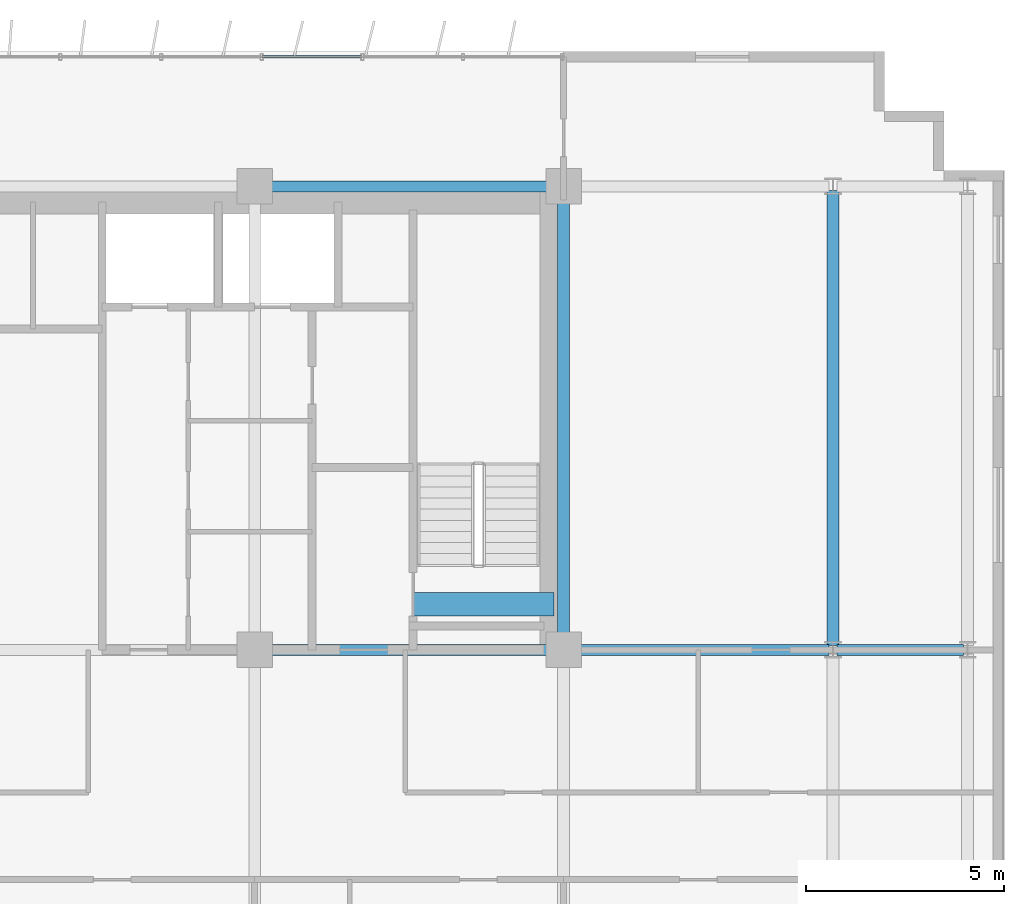
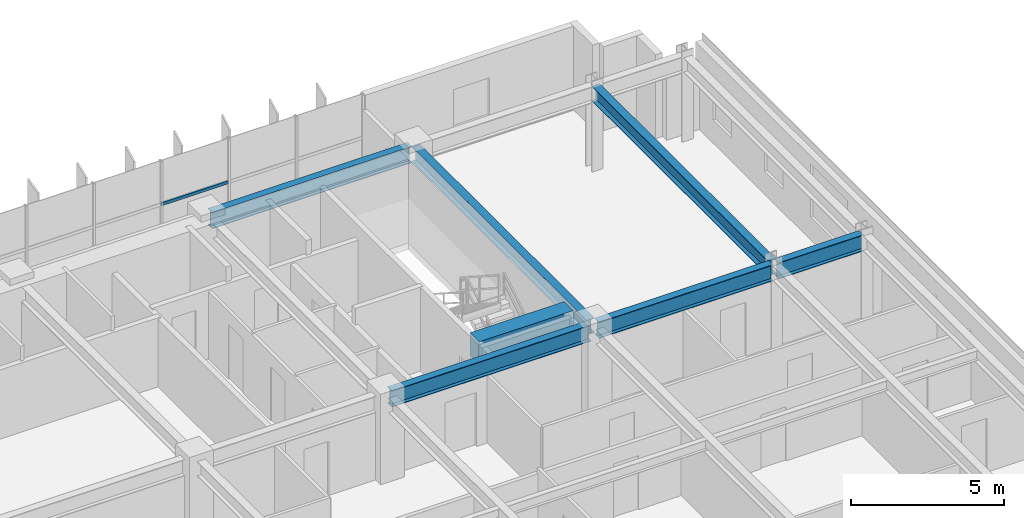
# One storey, part 11 of 22: 7 beams, 1 member, 1 element without a shape of its own.
"""IFC4 building model written with IfcOpenShell, lengths in metres."""

from ifc_helpers import new_model, si_unit, direction, frame, origin, origin_2d, place, context, subcontext, project, spatial, rectangle, hollow_rectangle, i_section, extrude, source, transform, mapped, material, material_profile, profile_set, type_object, element, aggregate, save


model = new_model("IFC4")

# Units and contexts
model_context = context("Model", 3, precision=1e-05, world=origin(), true_north=direction((0.0, 1.0)))
body_context = subcontext(model_context, "Body", "Model", "MODEL_VIEW")
ifc_project = project(units=[si_unit("LENGTHUNIT", "METRE"), si_unit("AREAUNIT", "SQUARE_METRE"), si_unit("VOLUMEUNIT", "CUBIC_METRE"), si_unit("PLANEANGLEUNIT", "RADIAN"), si_unit("MASSUNIT", "GRAM", prefix="KILO")], contexts=[model_context])

# Site, building, storey
site_placement = place(None, origin())
site = spatial("IfcSite", under=ifc_project, at=site_placement, CompositionType="ELEMENT")
building_placement = place(site_placement, origin())
building = spatial("IfcBuilding", under=site, at=building_placement, Name="Trelvane Seafront Commons", CompositionType="ELEMENT")
storey_placement = place(building_placement, frame((0.0, 0.0, 59.5)))
storey = spatial("IfcBuildingStorey", under=building, at=storey_placement, Name="L15", CompositionType="ELEMENT", Elevation=59.5)

# Beams
ifc_material_1 = material(Name="Concrete C60/75", Category="concrete")
ifc_material_profile_1 = material_profile(ifc_material_1, rectangle(XDim=0.60009765625, YDim=0.89990234375, at=origin_2d()), Name="RC-600x900")
ifc_profile_set_1 = profile_set([ifc_material_profile_1], Name="Concrete C60/75")
beam_type_1 = type_object("IfcBeamType", Name="STR-LNT-RC600x900", PredefinedType="LINTEL", material=ifc_profile_set_1)
shared_shape_1 = source(origin(), body_context, "Body", "SweptSolid", [
    extrude(rectangle(XDim=0.60009765625, YDim=0.89990234375, at=origin_2d()), origin(), (0.0, 0.0, 1.0), 3.550048828125),
])
beam_1_placement = place(storey_placement, frame((55.0, 34.550048828125, 2.889892578125), z_axis=(1.0, 0.0, 0.0), x_axis=(0.0, 1.0, 0.0)))
element("IfcBeam", 1, at=beam_1_placement, inside=storey, type_object=beam_type_1, Name="L15 Core Coupling Lintel Beam CB-86", PredefinedType="LINTEL", context=body_context, shape_type="MappedRepresentation", body=[
    mapped(shared_shape_1, transform((0.0, 0.0, 0.0), x_axis=(1.0, 0.0, 0.0), y_axis=(0.0, 1.0, 0.0), z_axis=(0.0, 0.0, 1.0), scale=1.0)),
])
ifc_material_2 = material(Name="Steel SM355 (S355)", Category="steel")
ifc_material_profile_2 = material_profile(ifc_material_2, i_section(OverallWidth=0.280029296875, OverallDepth=0.64990234375, WebThickness=0.012939453125, FlangeThickness=0.02197265625, at=origin_2d()), Name="H-650x280x13x22")
ifc_profile_set_2 = profile_set([ifc_material_profile_2], Name="Steel SM355 (S355)")
beam_type_2 = type_object("IfcBeamType", Name="STR-BM-H650", PredefinedType="BEAM", material=ifc_profile_set_2)
shared_shape_2 = source(origin(), body_context, "Body", "SweptSolid", [
    extrude(i_section(OverallWidth=0.280029296875, OverallDepth=0.64990234375, WebThickness=0.012939453125, FlangeThickness=0.02197265625, at=origin_2d()), origin(), (0.0, 0.0, 1.0), 3.18994140625),
])
beam_2_placement = place(storey_placement, frame((65.705078125, 33.39990234375, 3.014892578125), z_axis=(1.0, 0.0, 0.0), x_axis=(0.0, 1.0, 0.0)))
element("IfcBeam", 2, at=beam_2_placement, inside=storey, type_object=beam_type_2, Name="L15 Primary Girder G-27", PredefinedType="BEAM", context=body_context, shape_type="MappedRepresentation", body=[
    mapped(shared_shape_2, transform((0.0, 0.0, 0.0), x_axis=(1.0, 0.0, 0.0), y_axis=(0.0, 1.0, 0.0), z_axis=(0.0, 0.0, 1.0), scale=1.0)),
])
shared_shape_3 = source(origin(), body_context, "Body", "SweptSolid", [
    extrude(i_section(OverallWidth=0.280029296875, OverallDepth=0.64990234375, WebThickness=0.012939453125, FlangeThickness=0.02197265625, at=origin_2d()), origin(), (0.0, 0.0, 1.0), 6.545166015625),
])
beam_3_placement = place(storey_placement, frame((58.949951171875, 33.39990234375, 3.014892578125), z_axis=(1.0, 0.0, 0.0), x_axis=(0.0, 1.0, 0.0)))
element("IfcBeam", 3, at=beam_3_placement, inside=storey, type_object=beam_type_2, Name="L15 Primary Girder G-26", PredefinedType="BEAM", context=body_context, shape_type="MappedRepresentation", body=[
    mapped(shared_shape_3, transform((0.0, 0.0, 0.0), x_axis=(1.0, 0.0, 0.0), y_axis=(0.0, 1.0, 0.0), z_axis=(0.0, 0.0, 1.0), scale=1.0)),
])
shared_shape_4 = source(origin(), body_context, "Body", "SweptSolid", [
    extrude(i_section(OverallWidth=0.280029296875, OverallDepth=0.64990234375, WebThickness=0.012939453125, FlangeThickness=0.02197265625, at=origin_2d()), origin(), (0.0, 0.0, 1.0), 7.5),
])
for number, where, z_axis, x_axis, name in (
    (4, (51.14990234375, 33.39990234375, 3.014892578125), (1.0, 0.0, 0.0), (0.0, 1.0, 0.0), "L15 Primary Girder G-25"),
    (5, (51.14990234375, 45.10009765625, 3.014892578125), (1.0, 0.0, 0.0), (0.0, 1.0, 0.0), "L15 Primary Girder G-34"),
):
    element("IfcBeam", number, at=place(storey_placement, frame(where, z_axis=z_axis, x_axis=x_axis)), inside=storey, type_object=beam_type_2, Name=name, PredefinedType="BEAM", context=body_context, shape_type="MappedRepresentation", body=[
        mapped(shared_shape_4, transform((0.0, 0.0, 0.0), x_axis=(1.0, 0.0, 0.0), y_axis=(0.0, 1.0, 0.0), z_axis=(0.0, 0.0, 1.0), scale=1.0)),
    ])
ifc_material_profile_3 = material_profile(ifc_material_2, i_section(OverallWidth=0.300048828125, OverallDepth=0.587890625, WebThickness=0.011962890625, FlangeThickness=0.02001953125, at=origin_2d()), Name="H-588x300x12x20")
ifc_profile_set_3 = profile_set([ifc_material_profile_3], Name="Steel SM355 (S355)")
beam_type_3 = type_object("IfcBeamType", Name="STR-BM-H588", PredefinedType="BEAM", material=ifc_profile_set_3)
shared_shape_5 = source(origin(), body_context, "Body", "SweptSolid", [
    extrude(i_section(OverallWidth=0.300048828125, OverallDepth=0.587890625, WebThickness=0.011962890625, FlangeThickness=0.02001953125, at=origin_2d()), origin(), (0.0, 0.0, 1.0), 11.490234375),
])
beam_4_placement = place(storey_placement, frame((65.60009765625, 33.5048828125, 3.0458984375), z_axis=(0.0, 1.0, 0.0), x_axis=(-1.0, 0.0, 0.0)))
element("IfcBeam", 6, at=beam_4_placement, inside=storey, type_object=beam_type_3, Name="L15 Primary Girder G-63", PredefinedType="BEAM", context=body_context, shape_type="MappedRepresentation", body=[
    mapped(shared_shape_5, transform((0.0, 0.0, 0.0), x_axis=(1.0, 0.0, 0.0), y_axis=(0.0, 1.0, 0.0), z_axis=(0.0, 0.0, 1.0), scale=1.0)),
])
shared_shape_6 = source(origin(), body_context, "Body", "SweptSolid", [
    extrude(i_section(OverallWidth=0.300048828125, OverallDepth=0.587890625, WebThickness=0.011962890625, FlangeThickness=0.02001953125, at=origin_2d()), origin(), (0.0, 0.0, 1.0), 11.39990234375),
])
beam_5_placement = place(storey_placement, frame((58.800048828125, 33.550048828125, 3.0458984375), z_axis=(0.0, 1.0, 0.0), x_axis=(-1.0, 0.0, 0.0)))
element("IfcBeam", 7, at=beam_5_placement, inside=storey, type_object=beam_type_3, Name="L15 Primary Girder G-60", PredefinedType="BEAM", context=body_context, shape_type="MappedRepresentation", body=[
    mapped(shared_shape_6, transform((0.0, 0.0, 0.0), x_axis=(1.0, 0.0, 0.0), y_axis=(0.0, 1.0, 0.0), z_axis=(0.0, 0.0, 1.0), scale=1.0)),
])

# Curtain wall, member
ifc_material_3 = material(Name="Anodised pale-silver aluminium", Category="aluminium")
curtain_wall_type = type_object("IfcCurtainWallType", Name="ARCH-CW2-LOWTOWER", PredefinedType="NOTDEFINED", material=ifc_material_3)
curtain_wall_placement = place(storey_placement, origin())
curtain_wall = element("IfcCurtainWall", 8, at=curtain_wall_placement, inside=storey, type_object=curtain_wall_type, Name="CW-L15-0039", PredefinedType="NOTDEFINED")
ifc_material_profile_4 = material_profile(ifc_material_3, hollow_rectangle(XDim=0.070068359375, YDim=0.1201171875, WallThickness=0.00390625, at=origin_2d()), Name="TRAN-70x120x4")
ifc_profile_set_4 = profile_set([ifc_material_profile_4], Name="Anodised pale-silver aluminium")
member_type = type_object("IfcMemberType", Name="ARCH-CW-TRAN-120", PredefinedType="USERDEFINED", material=ifc_profile_set_4)
shared_shape_7 = source(origin(), body_context, "Body", "SweptSolid", [
    extrude(hollow_rectangle(XDim=0.070068359375, YDim=0.1201171875, WallThickness=0.00390625, at=origin_2d()), origin(), (0.0, 0.0, 1.0), 2.51708984375),
])
member_placement = place(storey_placement, frame((51.1884765625, 48.3701171875, 1.60302734375), z_axis=(1.0, 0.0, 0.0), x_axis=(0.0, 1.0, 0.0)))
member = element("IfcMember", 9, at=member_placement, type_object=member_type, Name="CW-L15-0039-T14", ObjectType="TRANSOM", PredefinedType="USERDEFINED", context=body_context, shape_type="MappedRepresentation", body=[
    mapped(shared_shape_7, transform((0.0, 0.0, 0.0), x_axis=(1.0, 0.0, 0.0), y_axis=(0.0, 1.0, 0.0), z_axis=(0.0, 0.0, 1.0), scale=1.0)),
])
aggregate(curtain_wall, [member])

save(model, "model.ifc")
